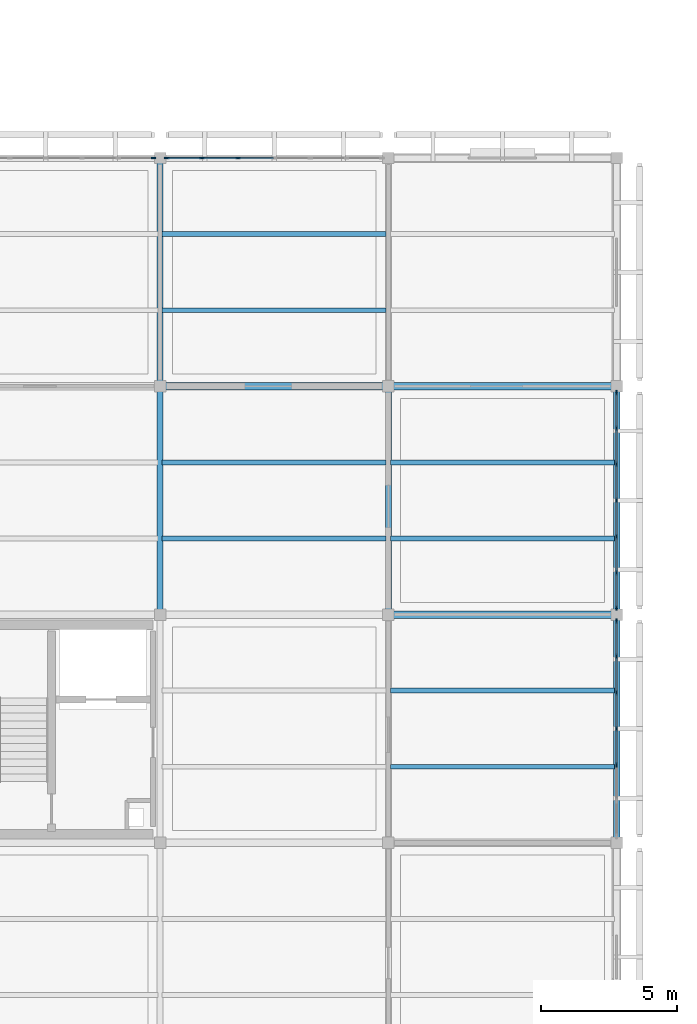
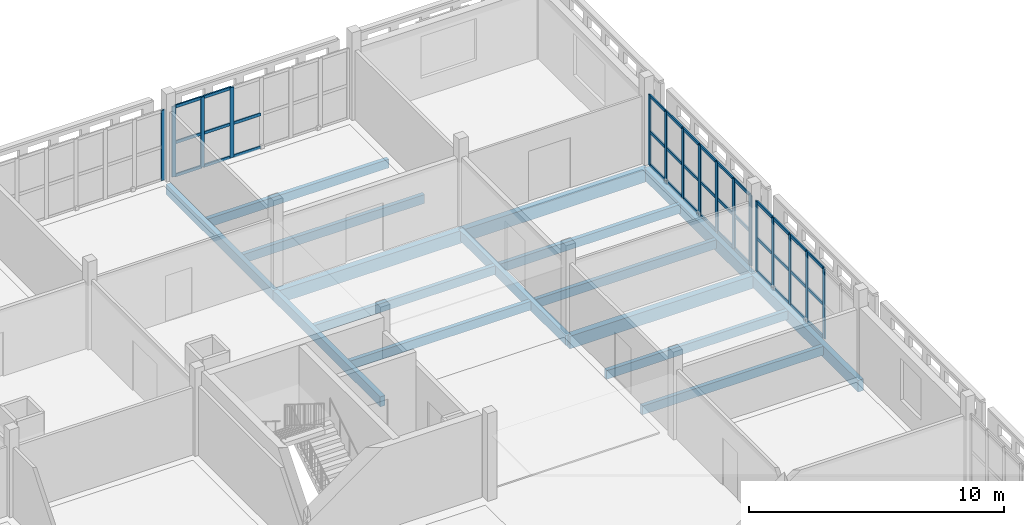
# One storey, part 74 of 166: 54 members, 16 beams, 4 elements without a shape of their own.
"""IFC4 building model written with IfcOpenShell, lengths in metres."""

from ifc_helpers import new_model, si_unit, direction, frame, origin, origin_2d, place, context, subcontext, project, spatial, rectangle, extrude, material, layer, layer_set, material_profile, profile_set, type_object, element, aggregate, save


model = new_model("IFC4")

# Units and contexts
model_context = context("Model", 3, precision=1e-05, world=origin(), true_north=direction((0.0, 1.0)))
body_context = subcontext(model_context, "Body", "Model", "MODEL_VIEW")
ifc_project = project(units=[si_unit("LENGTHUNIT", "METRE"), si_unit("AREAUNIT", "SQUARE_METRE"), si_unit("VOLUMEUNIT", "CUBIC_METRE"), si_unit("PLANEANGLEUNIT", "RADIAN"), si_unit("MASSUNIT", "GRAM", prefix="KILO")], contexts=[model_context])

# Site, building, storey
site_placement = place(None, origin())
site = spatial("IfcSite", under=ifc_project, at=site_placement, CompositionType="ELEMENT")
building_placement = place(site_placement, origin())
building = spatial("IfcBuilding", under=site, at=building_placement, Name="Varnapada Polytechnic", CompositionType="ELEMENT")
storey_placement = place(building_placement, frame((0.0, 0.0, 9.60009765625)))
storey = spatial("IfcBuildingStorey", under=building, at=storey_placement, Name="L02", CompositionType="ELEMENT", Elevation=9.60009765625)

# Curtain wall, member
ifc_material_1 = material(Name="Double low-E laminated glass", Category="glass")
ifc_layer = layer(ifc_material_1, 0.179931640625)
ifc_layer_set = layer_set([ifc_layer], Name="Double low-E laminated glass")
curtain_wall_type = type_object("IfcCurtainWallType", Name="Curtain Wall CW-04", PredefinedType="NOTDEFINED", material=ifc_layer_set)
curtain_wall_1_placement = place(storey_placement, origin())
curtain_wall_1 = element("IfcCurtainWall", 1, at=curtain_wall_1_placement, inside=storey, type_object=curtain_wall_type, Name="L02 unitised curtain wall CW-04 (197)", PredefinedType="NOTDEFINED")
ifc_material_2 = material(Name="Anodised aluminium", Category="aluminium")
ifc_material_profile_1 = material_profile(ifc_material_2, rectangle(XDim=0.06494140625, YDim=0.179931640625, at=origin_2d()), Name="ALU M65x180")
ifc_profile_set_1 = profile_set([ifc_material_profile_1], Name="Anodised aluminium")
member_type_1 = type_object("IfcMemberType", Name="Mullion M-02", PredefinedType="MULLION", material=ifc_profile_set_1)
member_1_placement = place(storey_placement, frame((159.357421875, 117.60009765625, 0.0), z_axis=(0.0, 0.0, 1.0), x_axis=(0.0, 1.0, 0.0)))
member_1 = element("IfcMember", 2, at=member_1_placement, type_object=member_type_1, Name="CW-04 mullion 7", PredefinedType="MULLION", context=body_context, shape_type="SweptSolid", body=[
    extrude(rectangle(XDim=0.06494140625, YDim=0.179931640625, at=origin_2d()), origin(), (0.0, 0.0, 1.0), 3.35986328125),
])
aggregate(curtain_wall_1, [member_1])

# Curtain wall, members
curtain_wall_2_placement = place(storey_placement, origin())
curtain_wall_2 = element("IfcCurtainWall", 3, at=curtain_wall_2_placement, inside=storey, type_object=curtain_wall_type, Name="L02 unitised curtain wall CW-04 (200)", PredefinedType="NOTDEFINED")
member_2_placement = place(storey_placement, frame((159.842529296875, 117.60009765625, 0.0), z_axis=(0.0, 0.0, 1.0), x_axis=(0.0, 1.0, 0.0)))
member_2 = element("IfcMember", 4, at=member_2_placement, type_object=member_type_1, Name="CW-04 mullion 1", PredefinedType="MULLION", context=body_context, shape_type="SweptSolid", body=[
    extrude(rectangle(XDim=0.06494140625, YDim=0.179931640625, at=origin_2d()), origin(), (0.0, 0.0, 1.0), 3.35986328125),
])
member_3_placement = place(storey_placement, frame((161.139892578125, 117.60009765625, 0.0), z_axis=(0.0, 0.0, 1.0), x_axis=(0.0, 1.0, 0.0)))
member_3 = element("IfcMember", 5, at=member_3_placement, type_object=member_type_1, Name="CW-04 mullion 2", PredefinedType="MULLION", context=body_context, shape_type="SweptSolid", body=[
    extrude(rectangle(XDim=0.06494140625, YDim=0.179931640625, at=origin_2d()), origin(), (0.0, 0.0, 1.0), 3.35986328125),
])
member_4_placement = place(storey_placement, frame((162.469970703125, 117.60009765625, 0.0), z_axis=(0.0, 0.0, 1.0), x_axis=(0.0, 1.0, 0.0)))
member_4 = element("IfcMember", 6, at=member_4_placement, type_object=member_type_1, Name="CW-04 mullion 3", PredefinedType="MULLION", context=body_context, shape_type="SweptSolid", body=[
    extrude(rectangle(XDim=0.06494140625, YDim=0.179931640625, at=origin_2d()), origin(), (0.0, 0.0, 1.0), 3.35986328125),
])

curtain_wall_3_placement = place(storey_placement, origin())
curtain_wall_3 = element("IfcCurtainWall", 7, at=curtain_wall_3_placement, inside=storey, type_object=curtain_wall_type, Name="L02 unitised curtain wall CW-04 (203)", PredefinedType="NOTDEFINED")
member_5_placement = place(storey_placement, frame((176.39990234375, 100.5576171875, 0.0), z_axis=(0.0, 0.0, 1.0), x_axis=(1.0, 0.0, 0.0)))
member_5 = element("IfcMember", 8, at=member_5_placement, type_object=member_type_1, Name="CW-04 mullion 1", PredefinedType="MULLION", context=body_context, shape_type="SweptSolid", body=[
    extrude(rectangle(XDim=0.06494140625, YDim=0.179931640625, at=origin_2d()), origin(), (0.0, 0.0, 1.0), 3.35986328125),
])
member_6_placement = place(storey_placement, frame((176.39990234375, 99.260009765625, 0.0), z_axis=(0.0, 0.0, 1.0), x_axis=(1.0, 0.0, 0.0)))
member_6 = element("IfcMember", 9, at=member_6_placement, type_object=member_type_1, Name="CW-04 mullion 2", PredefinedType="MULLION", context=body_context, shape_type="SweptSolid", body=[
    extrude(rectangle(XDim=0.06494140625, YDim=0.179931640625, at=origin_2d()), origin(), (0.0, 0.0, 1.0), 3.35986328125),
])
member_7_placement = place(storey_placement, frame((176.39990234375, 97.929931640625, 0.0), z_axis=(0.0, 0.0, 1.0), x_axis=(1.0, 0.0, 0.0)))
member_7 = element("IfcMember", 10, at=member_7_placement, type_object=member_type_1, Name="CW-04 mullion 3", PredefinedType="MULLION", context=body_context, shape_type="SweptSolid", body=[
    extrude(rectangle(XDim=0.06494140625, YDim=0.179931640625, at=origin_2d()), origin(), (0.0, 0.0, 1.0), 3.35986328125),
])
member_8_placement = place(storey_placement, frame((176.39990234375, 96.60009765625, 0.0), z_axis=(0.0, 0.0, 1.0), x_axis=(1.0, 0.0, 0.0)))
member_8 = element("IfcMember", 11, at=member_8_placement, type_object=member_type_1, Name="CW-04 mullion 4", PredefinedType="MULLION", context=body_context, shape_type="SweptSolid", body=[
    extrude(rectangle(XDim=0.06494140625, YDim=0.179931640625, at=origin_2d()), origin(), (0.0, 0.0, 1.0), 3.35986328125),
])
member_9_placement = place(storey_placement, frame((176.39990234375, 95.27001953125, 0.0), z_axis=(0.0, 0.0, 1.0), x_axis=(1.0, 0.0, 0.0)))
member_9 = element("IfcMember", 12, at=member_9_placement, type_object=member_type_1, Name="CW-04 mullion 5", PredefinedType="MULLION", context=body_context, shape_type="SweptSolid", body=[
    extrude(rectangle(XDim=0.06494140625, YDim=0.179931640625, at=origin_2d()), origin(), (0.0, 0.0, 1.0), 3.35986328125),
])

curtain_wall_4_placement = place(storey_placement, origin())
curtain_wall_4 = element("IfcCurtainWall", 13, at=curtain_wall_4_placement, inside=storey, type_object=curtain_wall_type, Name="L02 unitised curtain wall CW-04 (204)", PredefinedType="NOTDEFINED")
member_10_placement = place(storey_placement, frame((176.39990234375, 108.95751953125, 0.0), z_axis=(0.0, 0.0, 1.0), x_axis=(1.0, 0.0, 0.0)))
member_10 = element("IfcMember", 14, at=member_10_placement, type_object=member_type_1, Name="CW-04 mullion 1", PredefinedType="MULLION", context=body_context, shape_type="SweptSolid", body=[
    extrude(rectangle(XDim=0.06494140625, YDim=0.179931640625, at=origin_2d()), origin(), (0.0, 0.0, 1.0), 3.35986328125),
])
member_11_placement = place(storey_placement, frame((176.39990234375, 107.659912109375, 0.0), z_axis=(0.0, 0.0, 1.0), x_axis=(1.0, 0.0, 0.0)))
member_11 = element("IfcMember", 15, at=member_11_placement, type_object=member_type_1, Name="CW-04 mullion 2", PredefinedType="MULLION", context=body_context, shape_type="SweptSolid", body=[
    extrude(rectangle(XDim=0.06494140625, YDim=0.179931640625, at=origin_2d()), origin(), (0.0, 0.0, 1.0), 3.35986328125),
])
member_12_placement = place(storey_placement, frame((176.39990234375, 106.330078125, 0.0), z_axis=(0.0, 0.0, 1.0), x_axis=(1.0, 0.0, 0.0)))
member_12 = element("IfcMember", 16, at=member_12_placement, type_object=member_type_1, Name="CW-04 mullion 3", PredefinedType="MULLION", context=body_context, shape_type="SweptSolid", body=[
    extrude(rectangle(XDim=0.06494140625, YDim=0.179931640625, at=origin_2d()), origin(), (0.0, 0.0, 1.0), 3.35986328125),
])
member_13_placement = place(storey_placement, frame((176.39990234375, 105.0, 0.0), z_axis=(0.0, 0.0, 1.0), x_axis=(1.0, 0.0, 0.0)))
member_13 = element("IfcMember", 17, at=member_13_placement, type_object=member_type_1, Name="CW-04 mullion 4", PredefinedType="MULLION", context=body_context, shape_type="SweptSolid", body=[
    extrude(rectangle(XDim=0.06494140625, YDim=0.179931640625, at=origin_2d()), origin(), (0.0, 0.0, 1.0), 3.35986328125),
])
member_14_placement = place(storey_placement, frame((176.39990234375, 103.669921875, 0.0), z_axis=(0.0, 0.0, 1.0), x_axis=(1.0, 0.0, 0.0)))
member_14 = element("IfcMember", 18, at=member_14_placement, type_object=member_type_1, Name="CW-04 mullion 5", PredefinedType="MULLION", context=body_context, shape_type="SweptSolid", body=[
    extrude(rectangle(XDim=0.06494140625, YDim=0.179931640625, at=origin_2d()), origin(), (0.0, 0.0, 1.0), 3.35986328125),
])
member_15_placement = place(storey_placement, frame((176.39990234375, 102.340087890625, 0.0), z_axis=(0.0, 0.0, 1.0), x_axis=(1.0, 0.0, 0.0)))
member_15 = element("IfcMember", 19, at=member_15_placement, type_object=member_type_1, Name="CW-04 mullion 6", PredefinedType="MULLION", context=body_context, shape_type="SweptSolid", body=[
    extrude(rectangle(XDim=0.06494140625, YDim=0.179931640625, at=origin_2d()), origin(), (0.0, 0.0, 1.0), 3.35986328125),
])
member_16_placement = place(storey_placement, frame((176.39990234375, 101.04248046875, 0.0), z_axis=(0.0, 0.0, 1.0), x_axis=(1.0, 0.0, 0.0)))
member_16 = element("IfcMember", 20, at=member_16_placement, type_object=member_type_1, Name="CW-04 mullion 7", PredefinedType="MULLION", context=body_context, shape_type="SweptSolid", body=[
    extrude(rectangle(XDim=0.06494140625, YDim=0.179931640625, at=origin_2d()), origin(), (0.0, 0.0, 1.0), 3.35986328125),
])

# Beams
ifc_material_3 = material(Name="Glulam GL32h", Category="wood")
ifc_material_profile_2 = material_profile(ifc_material_3, rectangle(XDim=0.239990234375, YDim=0.56005859375, at=origin_2d()), Name="GL 240x560")
ifc_profile_set_2 = profile_set([ifc_material_profile_2], Name="Glulam GL32h")
beam_type_1 = type_object("IfcBeamType", Name="Perimeter glulam spandrel beam SP-02 (GL 240x560)", PredefinedType="SPANDREL", material=ifc_profile_set_2)
beam_1_placement = place(storey_placement, frame((176.39990234375, 92.39990234375, -0.530029296875), z_axis=(0.0, 1.0, 0.0), x_axis=(-1.0, 0.0, 0.0)))
element("IfcBeam", 21, at=beam_1_placement, inside=storey, type_object=beam_type_1, Name="L02 beam Y 12-13 at X22", PredefinedType="SPANDREL", context=body_context, shape_type="SweptSolid", body=[
    extrude(rectangle(XDim=0.239990234375, YDim=0.56005859375, at=origin_2d()), origin(), (0.0, 0.0, 1.0), 8.400146484375),
])
beam_2_placement = place(storey_placement, frame((176.39990234375, 100.800048828125, -0.530029296875), z_axis=(0.0, 1.0, 0.0), x_axis=(-1.0, 0.0, 0.0)))
element("IfcBeam", 22, at=beam_2_placement, inside=storey, type_object=beam_type_1, Name="L02 beam Y 13-14 at X22", PredefinedType="SPANDREL", context=body_context, shape_type="SweptSolid", body=[
    extrude(rectangle(XDim=0.239990234375, YDim=0.56005859375, at=origin_2d()), origin(), (0.0, 0.0, 1.0), 8.39990234375),
])
ifc_material_profile_3 = material_profile(ifc_material_3, rectangle(XDim=0.280029296875, YDim=0.60009765625, at=origin_2d()), Name="GL 280x600")
ifc_profile_set_3 = profile_set([ifc_material_profile_3], Name="Glulam GL32h")
beam_type_2 = type_object("IfcBeamType", Name="Reading hall glulam girder GG-08 (GL 280x600)", PredefinedType="BEAM", material=ifc_profile_set_3)
for number, where, z_axis, x_axis, name in (
    (23, (159.60009765625, 109.199951171875, -0.550048828125), (1.0, 0.0, 0.0), (0.0, 1.0, 0.0), "L02 beam X 20-21 at Y14"),
    (24, (168.0, 100.800048828125, -0.550048828125), (1.0, 0.0, 0.0), (0.0, 1.0, 0.0), "L02 beam X 21-22 at Y13"),
    (25, (168.0, 109.199951171875, -0.550048828125), (1.0, 0.0, 0.0), (0.0, 1.0, 0.0), "L02 beam X 21-22 at Y14"),
):
    element("IfcBeam", number, at=place(storey_placement, frame(where, z_axis=z_axis, x_axis=x_axis)), inside=storey, type_object=beam_type_2, Name=name, PredefinedType="BEAM", context=body_context, shape_type="SweptSolid", body=[
        extrude(rectangle(XDim=0.280029296875, YDim=0.60009765625, at=origin_2d()), origin(), (0.0, 0.0, 1.0), 8.39990234375),
    ])
ifc_material_profile_4 = material_profile(ifc_material_3, rectangle(XDim=0.179931640625, YDim=0.419921875, at=origin_2d()), Name="GL 180x420")
ifc_profile_set_4 = profile_set([ifc_material_profile_4], Name="Glulam GL32h")
beam_type_3 = type_object("IfcBeamType", Name="Reading hall glulam joist GJ-04 (GL 180x420)", PredefinedType="JOIST", material=ifc_profile_set_4)
for number, where, z_axis, x_axis, name in (
    (26, (159.679931640625, 103.60009765625, -0.460205078125), (1.0, 0.0, 0.0), (0.0, 1.0, 0.0), "L02 floor joist 20/13.1"),
    (27, (159.679931640625, 106.39990234375, -0.460205078125), (1.0, 0.0, 0.0), (0.0, 1.0, 0.0), "L02 floor joist 20/13.2"),
    (28, (159.679931640625, 112.0, -0.460205078125), (1.0, 0.0, 0.0), (0.0, 1.0, 0.0), "L02 floor joist 20/14.1"),
    (29, (159.679931640625, 114.800048828125, -0.460205078125), (1.0, 0.0, 0.0), (0.0, 1.0, 0.0), "L02 floor joist 20/14.2"),
    (30, (168.080078125, 95.199951171875, -0.460205078125), (1.0, 0.0, 0.0), (0.0, 1.0, 0.0), "L02 floor joist 21/12.1"),
    (31, (168.080078125, 98.0, -0.460205078125), (1.0, 0.0, 0.0), (0.0, 1.0, 0.0), "L02 floor joist 21/12.2"),
    (32, (168.080078125, 103.60009765625, -0.460205078125), (1.0, 0.0, 0.0), (0.0, 1.0, 0.0), "L02 floor joist 21/13.1"),
    (33, (168.080078125, 106.39990234375, -0.460205078125), (1.0, 0.0, 0.0), (0.0, 1.0, 0.0), "L02 floor joist 21/13.2"),
):
    element("IfcBeam", number, at=place(storey_placement, frame(where, z_axis=z_axis, x_axis=x_axis)), inside=storey, type_object=beam_type_3, Name=name, PredefinedType="JOIST", context=body_context, shape_type="SweptSolid", body=[
        extrude(rectangle(XDim=0.179931640625, YDim=0.419921875, at=origin_2d()), origin(), (0.0, 0.0, 1.0), 8.239990234375),
    ])

# Member
ifc_material_profile_5 = material_profile(ifc_material_2, rectangle(XDim=0.06494140625, YDim=0.139892578125, at=origin_2d()), Name="ALU T65x140")
ifc_profile_set_5 = profile_set([ifc_material_profile_5], Name="Anodised aluminium")
member_type_2 = type_object("IfcMemberType", Name="Transom T-02", PredefinedType="USERDEFINED", material=ifc_profile_set_5)
member_17_placement = place(storey_placement, frame((159.875, 117.60009765625, 0.032470703125), z_axis=(1.0, 0.0, 0.0), x_axis=(0.0, 1.0, 0.0)))
member_17 = element("IfcMember", 34, at=member_17_placement, type_object=member_type_2, Name="CW-04 transom 1.1", ObjectType="TRANSOM", PredefinedType="USERDEFINED", context=body_context, shape_type="SweptSolid", body=[
    extrude(rectangle(XDim=0.06494140625, YDim=0.139892578125, at=origin_2d()), origin(), (0.0, 0.0, 1.0), 1.232421875),
])

member_18_placement = place(storey_placement, frame((159.875, 117.60009765625, 1.61279296875), z_axis=(1.0, 0.0, 0.0), x_axis=(0.0, 1.0, 0.0)))
member_18 = element("IfcMember", 35, at=member_18_placement, type_object=member_type_2, Name="CW-04 transom 1.2", ObjectType="TRANSOM", PredefinedType="USERDEFINED", context=body_context, shape_type="SweptSolid", body=[
    extrude(rectangle(XDim=0.06494140625, YDim=0.139892578125, at=origin_2d()), origin(), (0.0, 0.0, 1.0), 1.232421875),
])

member_19_placement = place(storey_placement, frame((159.875, 117.60009765625, 3.327392578125), z_axis=(1.0, 0.0, 0.0), x_axis=(0.0, 1.0, 0.0)))
member_19 = element("IfcMember", 36, at=member_19_placement, type_object=member_type_2, Name="CW-04 transom 1.3", ObjectType="TRANSOM", PredefinedType="USERDEFINED", context=body_context, shape_type="SweptSolid", body=[
    extrude(rectangle(XDim=0.06494140625, YDim=0.139892578125, at=origin_2d()), origin(), (0.0, 0.0, 1.0), 1.232421875),
])

member_20_placement = place(storey_placement, frame((161.172607421875, 117.60009765625, 0.032470703125), z_axis=(1.0, 0.0, 0.0), x_axis=(0.0, 1.0, 0.0)))
member_20 = element("IfcMember", 37, at=member_20_placement, type_object=member_type_2, Name="CW-04 transom 2.1", ObjectType="TRANSOM", PredefinedType="USERDEFINED", context=body_context, shape_type="SweptSolid", body=[
    extrude(rectangle(XDim=0.06494140625, YDim=0.139892578125, at=origin_2d()), origin(), (0.0, 0.0, 1.0), 1.264892578125),
])

member_21_placement = place(storey_placement, frame((161.172607421875, 117.60009765625, 1.61279296875), z_axis=(1.0, 0.0, 0.0), x_axis=(0.0, 1.0, 0.0)))
member_21 = element("IfcMember", 38, at=member_21_placement, type_object=member_type_2, Name="CW-04 transom 2.2", ObjectType="TRANSOM", PredefinedType="USERDEFINED", context=body_context, shape_type="SweptSolid", body=[
    extrude(rectangle(XDim=0.06494140625, YDim=0.139892578125, at=origin_2d()), origin(), (0.0, 0.0, 1.0), 1.264892578125),
])

member_22_placement = place(storey_placement, frame((161.172607421875, 117.60009765625, 3.327392578125), z_axis=(1.0, 0.0, 0.0), x_axis=(0.0, 1.0, 0.0)))
member_22 = element("IfcMember", 39, at=member_22_placement, type_object=member_type_2, Name="CW-04 transom 2.3", ObjectType="TRANSOM", PredefinedType="USERDEFINED", context=body_context, shape_type="SweptSolid", body=[
    extrude(rectangle(XDim=0.06494140625, YDim=0.139892578125, at=origin_2d()), origin(), (0.0, 0.0, 1.0), 1.264892578125),
])

member_23_placement = place(storey_placement, frame((162.50244140625, 117.60009765625, 0.032470703125), z_axis=(1.0, 0.0, 0.0), x_axis=(0.0, 1.0, 0.0)))
member_23 = element("IfcMember", 40, at=member_23_placement, type_object=member_type_2, Name="CW-04 transom 3.1", ObjectType="TRANSOM", PredefinedType="USERDEFINED", context=body_context, shape_type="SweptSolid", body=[
    extrude(rectangle(XDim=0.06494140625, YDim=0.139892578125, at=origin_2d()), origin(), (0.0, 0.0, 1.0), 1.26513671875),
])

member_24_placement = place(storey_placement, frame((162.50244140625, 117.60009765625, 1.61279296875), z_axis=(1.0, 0.0, 0.0), x_axis=(0.0, 1.0, 0.0)))
member_24 = element("IfcMember", 41, at=member_24_placement, type_object=member_type_2, Name="CW-04 transom 3.2", ObjectType="TRANSOM", PredefinedType="USERDEFINED", context=body_context, shape_type="SweptSolid", body=[
    extrude(rectangle(XDim=0.06494140625, YDim=0.139892578125, at=origin_2d()), origin(), (0.0, 0.0, 1.0), 1.26513671875),
])

aggregate(curtain_wall_2, [member_2, member_3, member_4, member_17, member_18, member_19, member_20, member_21, member_22, member_23, member_24])

member_25_placement = place(storey_placement, frame((176.39990234375, 100.52490234375, 0.032470703125), z_axis=(0.0, -1.0, 0.0), x_axis=(1.0, 0.0, 0.0)))
member_25 = element("IfcMember", 42, at=member_25_placement, type_object=member_type_2, Name="CW-04 transom 1.1", ObjectType="TRANSOM", PredefinedType="USERDEFINED", context=body_context, shape_type="SweptSolid", body=[
    extrude(rectangle(XDim=0.06494140625, YDim=0.139892578125, at=origin_2d()), origin(), (0.0, 0.0, 1.0), 1.232421875),
])

member_26_placement = place(storey_placement, frame((176.39990234375, 100.52490234375, 1.61279296875), z_axis=(0.0, -1.0, 0.0), x_axis=(1.0, 0.0, 0.0)))
member_26 = element("IfcMember", 43, at=member_26_placement, type_object=member_type_2, Name="CW-04 transom 1.2", ObjectType="TRANSOM", PredefinedType="USERDEFINED", context=body_context, shape_type="SweptSolid", body=[
    extrude(rectangle(XDim=0.06494140625, YDim=0.139892578125, at=origin_2d()), origin(), (0.0, 0.0, 1.0), 1.232421875),
])

member_27_placement = place(storey_placement, frame((176.39990234375, 100.52490234375, 3.327392578125), z_axis=(0.0, -1.0, 0.0), x_axis=(1.0, 0.0, 0.0)))
member_27 = element("IfcMember", 44, at=member_27_placement, type_object=member_type_2, Name="CW-04 transom 1.3", ObjectType="TRANSOM", PredefinedType="USERDEFINED", context=body_context, shape_type="SweptSolid", body=[
    extrude(rectangle(XDim=0.06494140625, YDim=0.139892578125, at=origin_2d()), origin(), (0.0, 0.0, 1.0), 1.232421875),
])

member_28_placement = place(storey_placement, frame((176.39990234375, 99.2275390625, 0.032470703125), z_axis=(0.0, -1.0, 0.0), x_axis=(1.0, 0.0, 0.0)))
member_28 = element("IfcMember", 45, at=member_28_placement, type_object=member_type_2, Name="CW-04 transom 2.1", ObjectType="TRANSOM", PredefinedType="USERDEFINED", context=body_context, shape_type="SweptSolid", body=[
    extrude(rectangle(XDim=0.06494140625, YDim=0.139892578125, at=origin_2d()), origin(), (0.0, 0.0, 1.0), 1.26513671875),
])

member_29_placement = place(storey_placement, frame((176.39990234375, 99.2275390625, 1.61279296875), z_axis=(0.0, -1.0, 0.0), x_axis=(1.0, 0.0, 0.0)))
member_29 = element("IfcMember", 46, at=member_29_placement, type_object=member_type_2, Name="CW-04 transom 2.2", ObjectType="TRANSOM", PredefinedType="USERDEFINED", context=body_context, shape_type="SweptSolid", body=[
    extrude(rectangle(XDim=0.06494140625, YDim=0.139892578125, at=origin_2d()), origin(), (0.0, 0.0, 1.0), 1.26513671875),
])

member_30_placement = place(storey_placement, frame((176.39990234375, 99.2275390625, 3.327392578125), z_axis=(0.0, -1.0, 0.0), x_axis=(1.0, 0.0, 0.0)))
member_30 = element("IfcMember", 47, at=member_30_placement, type_object=member_type_2, Name="CW-04 transom 2.3", ObjectType="TRANSOM", PredefinedType="USERDEFINED", context=body_context, shape_type="SweptSolid", body=[
    extrude(rectangle(XDim=0.06494140625, YDim=0.139892578125, at=origin_2d()), origin(), (0.0, 0.0, 1.0), 1.26513671875),
])

member_31_placement = place(storey_placement, frame((176.39990234375, 97.8974609375, 0.032470703125), z_axis=(0.0, -1.0, 0.0), x_axis=(1.0, 0.0, 0.0)))
member_31 = element("IfcMember", 48, at=member_31_placement, type_object=member_type_2, Name="CW-04 transom 3.1", ObjectType="TRANSOM", PredefinedType="USERDEFINED", context=body_context, shape_type="SweptSolid", body=[
    extrude(rectangle(XDim=0.06494140625, YDim=0.139892578125, at=origin_2d()), origin(), (0.0, 0.0, 1.0), 1.264892578125),
])

member_32_placement = place(storey_placement, frame((176.39990234375, 97.8974609375, 1.61279296875), z_axis=(0.0, -1.0, 0.0), x_axis=(1.0, 0.0, 0.0)))
member_32 = element("IfcMember", 49, at=member_32_placement, type_object=member_type_2, Name="CW-04 transom 3.2", ObjectType="TRANSOM", PredefinedType="USERDEFINED", context=body_context, shape_type="SweptSolid", body=[
    extrude(rectangle(XDim=0.06494140625, YDim=0.139892578125, at=origin_2d()), origin(), (0.0, 0.0, 1.0), 1.264892578125),
])

member_33_placement = place(storey_placement, frame((176.39990234375, 97.8974609375, 3.327392578125), z_axis=(0.0, -1.0, 0.0), x_axis=(1.0, 0.0, 0.0)))
member_33 = element("IfcMember", 50, at=member_33_placement, type_object=member_type_2, Name="CW-04 transom 3.3", ObjectType="TRANSOM", PredefinedType="USERDEFINED", context=body_context, shape_type="SweptSolid", body=[
    extrude(rectangle(XDim=0.06494140625, YDim=0.139892578125, at=origin_2d()), origin(), (0.0, 0.0, 1.0), 1.264892578125),
])

member_34_placement = place(storey_placement, frame((176.39990234375, 96.5673828125, 0.032470703125), z_axis=(0.0, -1.0, 0.0), x_axis=(1.0, 0.0, 0.0)))
member_34 = element("IfcMember", 51, at=member_34_placement, type_object=member_type_2, Name="CW-04 transom 4.1", ObjectType="TRANSOM", PredefinedType="USERDEFINED", context=body_context, shape_type="SweptSolid", body=[
    extrude(rectangle(XDim=0.06494140625, YDim=0.139892578125, at=origin_2d()), origin(), (0.0, 0.0, 1.0), 1.264892578125),
])

member_35_placement = place(storey_placement, frame((176.39990234375, 96.5673828125, 1.61279296875), z_axis=(0.0, -1.0, 0.0), x_axis=(1.0, 0.0, 0.0)))
member_35 = element("IfcMember", 52, at=member_35_placement, type_object=member_type_2, Name="CW-04 transom 4.2", ObjectType="TRANSOM", PredefinedType="USERDEFINED", context=body_context, shape_type="SweptSolid", body=[
    extrude(rectangle(XDim=0.06494140625, YDim=0.139892578125, at=origin_2d()), origin(), (0.0, 0.0, 1.0), 1.264892578125),
])

member_36_placement = place(storey_placement, frame((176.39990234375, 96.5673828125, 3.327392578125), z_axis=(0.0, -1.0, 0.0), x_axis=(1.0, 0.0, 0.0)))
member_36 = element("IfcMember", 53, at=member_36_placement, type_object=member_type_2, Name="CW-04 transom 4.3", ObjectType="TRANSOM", PredefinedType="USERDEFINED", context=body_context, shape_type="SweptSolid", body=[
    extrude(rectangle(XDim=0.06494140625, YDim=0.139892578125, at=origin_2d()), origin(), (0.0, 0.0, 1.0), 1.264892578125),
])

aggregate(curtain_wall_3, [member_5, member_6, member_7, member_8, member_9, member_25, member_26, member_27, member_28, member_29, member_30, member_31, member_32, member_33, member_34, member_35, member_36])

member_37_placement = place(storey_placement, frame((176.39990234375, 108.925048828125, 0.032470703125), z_axis=(0.0, -1.0, 0.0), x_axis=(1.0, 0.0, 0.0)))
member_37 = element("IfcMember", 54, at=member_37_placement, type_object=member_type_2, Name="CW-04 transom 1.1", ObjectType="TRANSOM", PredefinedType="USERDEFINED", context=body_context, shape_type="SweptSolid", body=[
    extrude(rectangle(XDim=0.06494140625, YDim=0.139892578125, at=origin_2d()), origin(), (0.0, 0.0, 1.0), 1.232666015625),
])

member_38_placement = place(storey_placement, frame((176.39990234375, 108.925048828125, 1.61279296875), z_axis=(0.0, -1.0, 0.0), x_axis=(1.0, 0.0, 0.0)))
member_38 = element("IfcMember", 55, at=member_38_placement, type_object=member_type_2, Name="CW-04 transom 1.2", ObjectType="TRANSOM", PredefinedType="USERDEFINED", context=body_context, shape_type="SweptSolid", body=[
    extrude(rectangle(XDim=0.06494140625, YDim=0.139892578125, at=origin_2d()), origin(), (0.0, 0.0, 1.0), 1.232666015625),
])

member_39_placement = place(storey_placement, frame((176.39990234375, 108.925048828125, 3.327392578125), z_axis=(0.0, -1.0, 0.0), x_axis=(1.0, 0.0, 0.0)))
member_39 = element("IfcMember", 56, at=member_39_placement, type_object=member_type_2, Name="CW-04 transom 1.3", ObjectType="TRANSOM", PredefinedType="USERDEFINED", context=body_context, shape_type="SweptSolid", body=[
    extrude(rectangle(XDim=0.06494140625, YDim=0.139892578125, at=origin_2d()), origin(), (0.0, 0.0, 1.0), 1.232666015625),
])

member_40_placement = place(storey_placement, frame((176.39990234375, 107.62744140625, 0.032470703125), z_axis=(0.0, -1.0, 0.0), x_axis=(1.0, 0.0, 0.0)))
member_40 = element("IfcMember", 57, at=member_40_placement, type_object=member_type_2, Name="CW-04 transom 2.1", ObjectType="TRANSOM", PredefinedType="USERDEFINED", context=body_context, shape_type="SweptSolid", body=[
    extrude(rectangle(XDim=0.06494140625, YDim=0.139892578125, at=origin_2d()), origin(), (0.0, 0.0, 1.0), 1.264892578125),
])

member_41_placement = place(storey_placement, frame((176.39990234375, 107.62744140625, 1.61279296875), z_axis=(0.0, -1.0, 0.0), x_axis=(1.0, 0.0, 0.0)))
member_41 = element("IfcMember", 58, at=member_41_placement, type_object=member_type_2, Name="CW-04 transom 2.2", ObjectType="TRANSOM", PredefinedType="USERDEFINED", context=body_context, shape_type="SweptSolid", body=[
    extrude(rectangle(XDim=0.06494140625, YDim=0.139892578125, at=origin_2d()), origin(), (0.0, 0.0, 1.0), 1.264892578125),
])

member_42_placement = place(storey_placement, frame((176.39990234375, 107.62744140625, 3.327392578125), z_axis=(0.0, -1.0, 0.0), x_axis=(1.0, 0.0, 0.0)))
member_42 = element("IfcMember", 59, at=member_42_placement, type_object=member_type_2, Name="CW-04 transom 2.3", ObjectType="TRANSOM", PredefinedType="USERDEFINED", context=body_context, shape_type="SweptSolid", body=[
    extrude(rectangle(XDim=0.06494140625, YDim=0.139892578125, at=origin_2d()), origin(), (0.0, 0.0, 1.0), 1.264892578125),
])

member_43_placement = place(storey_placement, frame((176.39990234375, 106.297607421875, 0.032470703125), z_axis=(0.0, -1.0, 0.0), x_axis=(1.0, 0.0, 0.0)))
member_43 = element("IfcMember", 60, at=member_43_placement, type_object=member_type_2, Name="CW-04 transom 3.1", ObjectType="TRANSOM", PredefinedType="USERDEFINED", context=body_context, shape_type="SweptSolid", body=[
    extrude(rectangle(XDim=0.06494140625, YDim=0.139892578125, at=origin_2d()), origin(), (0.0, 0.0, 1.0), 1.26513671875),
])

member_44_placement = place(storey_placement, frame((176.39990234375, 106.297607421875, 1.61279296875), z_axis=(0.0, -1.0, 0.0), x_axis=(1.0, 0.0, 0.0)))
member_44 = element("IfcMember", 61, at=member_44_placement, type_object=member_type_2, Name="CW-04 transom 3.2", ObjectType="TRANSOM", PredefinedType="USERDEFINED", context=body_context, shape_type="SweptSolid", body=[
    extrude(rectangle(XDim=0.06494140625, YDim=0.139892578125, at=origin_2d()), origin(), (0.0, 0.0, 1.0), 1.26513671875),
])

member_45_placement = place(storey_placement, frame((176.39990234375, 106.297607421875, 3.327392578125), z_axis=(0.0, -1.0, 0.0), x_axis=(1.0, 0.0, 0.0)))
member_45 = element("IfcMember", 62, at=member_45_placement, type_object=member_type_2, Name="CW-04 transom 3.3", ObjectType="TRANSOM", PredefinedType="USERDEFINED", context=body_context, shape_type="SweptSolid", body=[
    extrude(rectangle(XDim=0.06494140625, YDim=0.139892578125, at=origin_2d()), origin(), (0.0, 0.0, 1.0), 1.26513671875),
])

member_46_placement = place(storey_placement, frame((176.39990234375, 104.967529296875, 0.032470703125), z_axis=(0.0, -1.0, 0.0), x_axis=(1.0, 0.0, 0.0)))
member_46 = element("IfcMember", 63, at=member_46_placement, type_object=member_type_2, Name="CW-04 transom 4.1", ObjectType="TRANSOM", PredefinedType="USERDEFINED", context=body_context, shape_type="SweptSolid", body=[
    extrude(rectangle(XDim=0.06494140625, YDim=0.139892578125, at=origin_2d()), origin(), (0.0, 0.0, 1.0), 1.26513671875),
])

member_47_placement = place(storey_placement, frame((176.39990234375, 104.967529296875, 1.61279296875), z_axis=(0.0, -1.0, 0.0), x_axis=(1.0, 0.0, 0.0)))
member_47 = element("IfcMember", 64, at=member_47_placement, type_object=member_type_2, Name="CW-04 transom 4.2", ObjectType="TRANSOM", PredefinedType="USERDEFINED", context=body_context, shape_type="SweptSolid", body=[
    extrude(rectangle(XDim=0.06494140625, YDim=0.139892578125, at=origin_2d()), origin(), (0.0, 0.0, 1.0), 1.26513671875),
])

member_48_placement = place(storey_placement, frame((176.39990234375, 104.967529296875, 3.327392578125), z_axis=(0.0, -1.0, 0.0), x_axis=(1.0, 0.0, 0.0)))
member_48 = element("IfcMember", 65, at=member_48_placement, type_object=member_type_2, Name="CW-04 transom 4.3", ObjectType="TRANSOM", PredefinedType="USERDEFINED", context=body_context, shape_type="SweptSolid", body=[
    extrude(rectangle(XDim=0.06494140625, YDim=0.139892578125, at=origin_2d()), origin(), (0.0, 0.0, 1.0), 1.26513671875),
])

member_49_placement = place(storey_placement, frame((176.39990234375, 103.637451171875, 0.032470703125), z_axis=(0.0, -1.0, 0.0), x_axis=(1.0, 0.0, 0.0)))
member_49 = element("IfcMember", 66, at=member_49_placement, type_object=member_type_2, Name="CW-04 transom 5.1", ObjectType="TRANSOM", PredefinedType="USERDEFINED", context=body_context, shape_type="SweptSolid", body=[
    extrude(rectangle(XDim=0.06494140625, YDim=0.139892578125, at=origin_2d()), origin(), (0.0, 0.0, 1.0), 1.264892578125),
])

member_50_placement = place(storey_placement, frame((176.39990234375, 103.637451171875, 1.61279296875), z_axis=(0.0, -1.0, 0.0), x_axis=(1.0, 0.0, 0.0)))
member_50 = element("IfcMember", 67, at=member_50_placement, type_object=member_type_2, Name="CW-04 transom 5.2", ObjectType="TRANSOM", PredefinedType="USERDEFINED", context=body_context, shape_type="SweptSolid", body=[
    extrude(rectangle(XDim=0.06494140625, YDim=0.139892578125, at=origin_2d()), origin(), (0.0, 0.0, 1.0), 1.264892578125),
])

member_51_placement = place(storey_placement, frame((176.39990234375, 103.637451171875, 3.327392578125), z_axis=(0.0, -1.0, 0.0), x_axis=(1.0, 0.0, 0.0)))
member_51 = element("IfcMember", 68, at=member_51_placement, type_object=member_type_2, Name="CW-04 transom 5.3", ObjectType="TRANSOM", PredefinedType="USERDEFINED", context=body_context, shape_type="SweptSolid", body=[
    extrude(rectangle(XDim=0.06494140625, YDim=0.139892578125, at=origin_2d()), origin(), (0.0, 0.0, 1.0), 1.264892578125),
])

member_52_placement = place(storey_placement, frame((176.39990234375, 102.3076171875, 0.032470703125), z_axis=(0.0, -1.0, 0.0), x_axis=(1.0, 0.0, 0.0)))
member_52 = element("IfcMember", 69, at=member_52_placement, type_object=member_type_2, Name="CW-04 transom 6.1", ObjectType="TRANSOM", PredefinedType="USERDEFINED", context=body_context, shape_type="SweptSolid", body=[
    extrude(rectangle(XDim=0.06494140625, YDim=0.139892578125, at=origin_2d()), origin(), (0.0, 0.0, 1.0), 1.232666015625),
])

member_53_placement = place(storey_placement, frame((176.39990234375, 102.3076171875, 1.61279296875), z_axis=(0.0, -1.0, 0.0), x_axis=(1.0, 0.0, 0.0)))
member_53 = element("IfcMember", 70, at=member_53_placement, type_object=member_type_2, Name="CW-04 transom 6.2", ObjectType="TRANSOM", PredefinedType="USERDEFINED", context=body_context, shape_type="SweptSolid", body=[
    extrude(rectangle(XDim=0.06494140625, YDim=0.139892578125, at=origin_2d()), origin(), (0.0, 0.0, 1.0), 1.232666015625),
])

member_54_placement = place(storey_placement, frame((176.39990234375, 102.3076171875, 3.327392578125), z_axis=(0.0, -1.0, 0.0), x_axis=(1.0, 0.0, 0.0)))
member_54 = element("IfcMember", 71, at=member_54_placement, type_object=member_type_2, Name="CW-04 transom 6.3", ObjectType="TRANSOM", PredefinedType="USERDEFINED", context=body_context, shape_type="SweptSolid", body=[
    extrude(rectangle(XDim=0.06494140625, YDim=0.139892578125, at=origin_2d()), origin(), (0.0, 0.0, 1.0), 1.232666015625),
])

aggregate(curtain_wall_4, [member_10, member_11, member_12, member_13, member_14, member_15, member_16, member_37, member_38, member_39, member_40, member_41, member_42, member_43, member_44, member_45, member_46, member_47, member_48, member_49, member_50, member_51, member_52, member_53, member_54])

# Beams
ifc_material_profile_6 = material_profile(ifc_material_3, rectangle(XDim=0.219970703125, YDim=0.47998046875, at=origin_2d()), Name="GL 220x480")
ifc_profile_set_6 = profile_set([ifc_material_profile_6], Name="Glulam GL32h")
beam_type_4 = type_object("IfcBeamType", Name="Upper floor glulam tie beam GB-11 (GL 220x480)", PredefinedType="BEAM", material=ifc_profile_set_6)
beam_3_placement = place(storey_placement, frame((159.60009765625, 100.800048828125, -0.489990234375), z_axis=(0.0, 1.0, 0.0), x_axis=(-1.0, 0.0, 0.0)))
element("IfcBeam", 72, at=beam_3_placement, inside=storey, type_object=beam_type_4, Name="L02 beam Y 13-14 at X20", PredefinedType="BEAM", context=body_context, shape_type="SweptSolid", body=[
    extrude(rectangle(XDim=0.219970703125, YDim=0.47998046875, at=origin_2d()), origin(), (0.0, 0.0, 1.0), 8.39990234375),
])
beam_4_placement = place(storey_placement, frame((159.60009765625, 109.199951171875, -0.489990234375), z_axis=(0.0, 1.0, 0.0), x_axis=(-1.0, 0.0, 0.0)))
element("IfcBeam", 73, at=beam_4_placement, inside=storey, type_object=beam_type_4, Name="L02 beam Y 14-15 at X20", PredefinedType="BEAM", context=body_context, shape_type="SweptSolid", body=[
    extrude(rectangle(XDim=0.219970703125, YDim=0.47998046875, at=origin_2d()), origin(), (0.0, 0.0, 1.0), 8.400146484375),
])
beam_5_placement = place(storey_placement, frame((168.0, 100.800048828125, -0.489990234375), z_axis=(0.0, 1.0, 0.0), x_axis=(-1.0, 0.0, 0.0)))
element("IfcBeam", 74, at=beam_5_placement, inside=storey, type_object=beam_type_4, Name="L02 beam Y 13-14 at X21", PredefinedType="BEAM", context=body_context, shape_type="SweptSolid", body=[
    extrude(rectangle(XDim=0.219970703125, YDim=0.47998046875, at=origin_2d()), origin(), (0.0, 0.0, 1.0), 8.39990234375),
])

save(model, "model.ifc")
